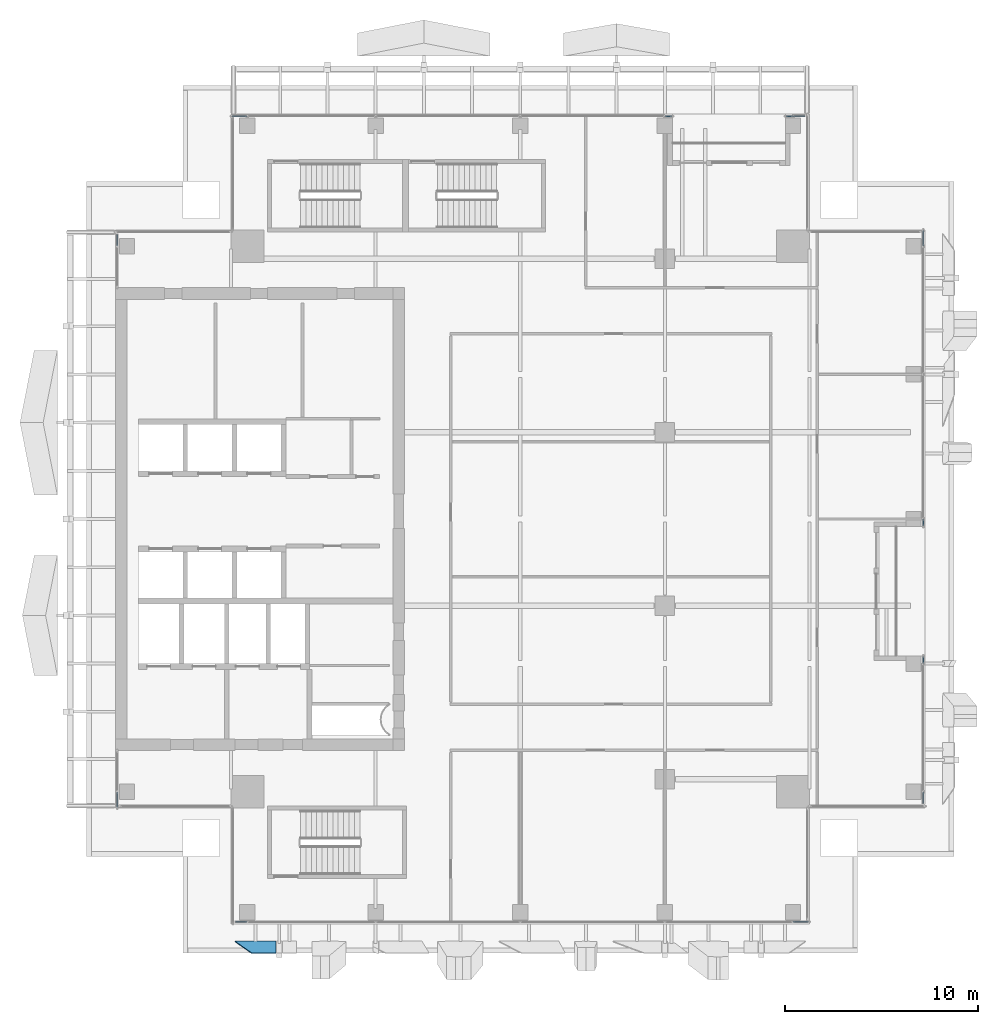
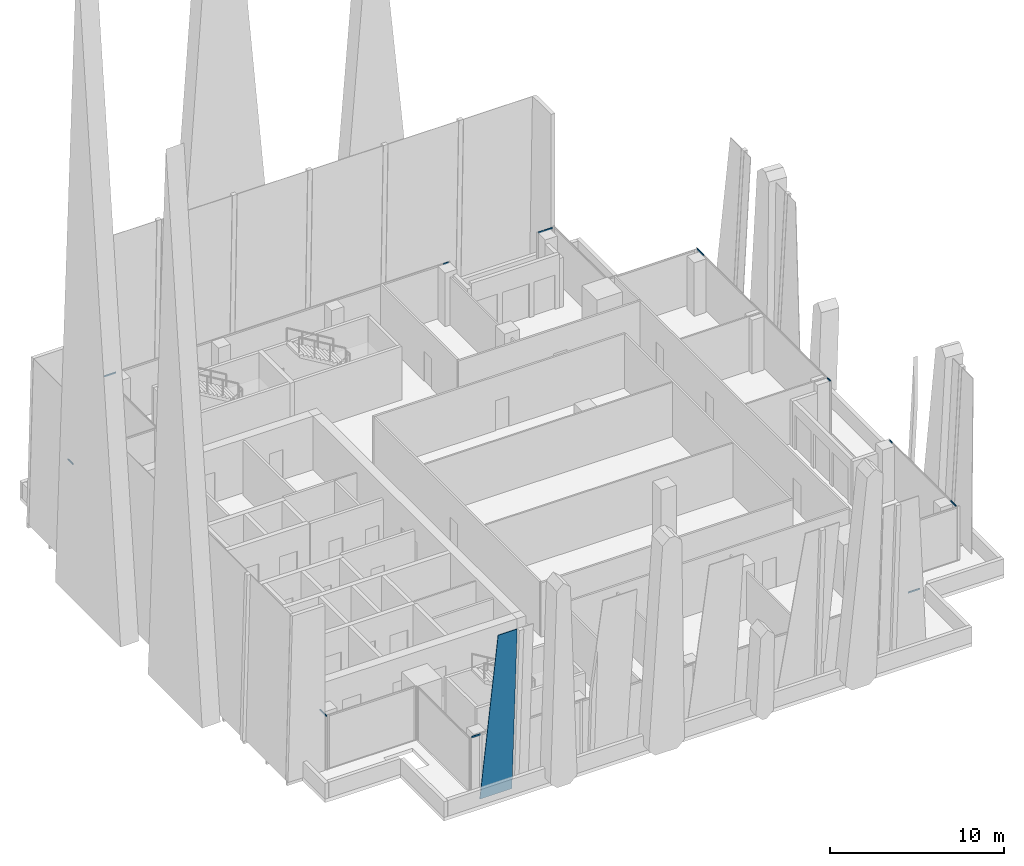
# One storey, part 19 of 32: 12 members, 1 plate, 7 elements without a shape of their own.
"""IFC4 building model written with IfcOpenShell, lengths in metres."""

from ifc_helpers import new_model, si_unit, direction, frame, origin, origin_2d, place, context, subcontext, project, spatial, polyline, hollow_rectangle, outline, extrude, source, transform, mapped, material, layer, layer_set, material_profile, profile_set, type_object, element, aggregate, save


model = new_model("IFC4")

# Units and contexts
model_context = context("Model", 3, precision=1e-05, world=origin(), true_north=direction((0.0, 1.0)))
body_context = subcontext(model_context, "Body", "Model", "MODEL_VIEW")
ifc_project = project(units=[si_unit("LENGTHUNIT", "METRE"), si_unit("AREAUNIT", "SQUARE_METRE"), si_unit("VOLUMEUNIT", "CUBIC_METRE"), si_unit("PLANEANGLEUNIT", "RADIAN"), si_unit("MASSUNIT", "GRAM", prefix="KILO")], contexts=[model_context])

# Site, building, storey
site_placement = place(None, origin())
site = spatial("IfcSite", under=ifc_project, at=site_placement, CompositionType="ELEMENT")
building_placement = place(site_placement, origin())
building = spatial("IfcBuilding", under=site, at=building_placement, Name="Khomas Fold Tower", CompositionType="ELEMENT")
storey_placement = place(building_placement, frame((0.0, 0.0, 282.199951171875)))
storey = spatial("IfcBuildingStorey", under=building, at=storey_placement, Name="L63", CompositionType="ELEMENT", Elevation=282.199951171875)

# Curtain wall, member
ifc_material_1 = material(Name="Aluminium framed double glazing", Category="aluminium")
curtain_wall_type = type_object("IfcCurtainWallType", Name="SK-Unitised clear-glass wall, upper floors CW3", PredefinedType="NOTDEFINED", material=ifc_material_1)
curtain_wall_1_placement = place(storey_placement, origin())
curtain_wall_1 = element("IfcCurtainWall", 1, at=curtain_wall_1_placement, inside=storey, type_object=curtain_wall_type, Name="CW3 run L63 00-0", PredefinedType="NOTDEFINED")
ifc_material_2 = material(Name="Aluminium", Category="aluminium")
ifc_material_profile = material_profile(ifc_material_2, hollow_rectangle(XDim=0.050048828125, YDim=0.10009765625, WallThickness=0.00390625, at=origin_2d()), Name="SK-Unitised clear-glass wall, upper floors transom CW3-T")
ifc_profile_set = profile_set([ifc_material_profile], Name="Aluminium")
member_type = type_object("IfcMemberType", Name="SK-Unitised clear-glass wall, upper floors transom CW3-T", PredefinedType="USERDEFINED", material=ifc_profile_set)
shared_shape_1 = source(origin(), body_context, "Body", "SweptSolid", [
    extrude(hollow_rectangle(XDim=0.050048828125, YDim=0.10009765625, WallThickness=0.00390625, at=origin_2d()), origin(), (0.0, 0.0, 1.0), 0.574951171875),
])
member_1_placement = place(storey_placement, frame((12.25, 6.10009765625, 3.699951171875), z_axis=(1.0, 0.0, 0.0), x_axis=(0.0, 1.0, 0.0)))
member_1 = element("IfcMember", 2, at=member_1_placement, type_object=member_type, Name="CW3 transom 1", ObjectType="TRANSOM", PredefinedType="USERDEFINED", context=body_context, shape_type="MappedRepresentation", body=[
    mapped(shared_shape_1, transform((0.0, 0.0, 0.0))),
])

curtain_wall_2_placement = place(storey_placement, origin())
curtain_wall_2 = element("IfcCurtainWall", 3, at=curtain_wall_2_placement, inside=storey, type_object=curtain_wall_type, Name="CW3 run L63 03-0", PredefinedType="NOTDEFINED")
member_2_placement = place(storey_placement, frame((47.89990234375, 12.25, 3.699951171875), z_axis=(0.0, 1.0, 0.0), x_axis=(-1.0, 0.0, 0.0)))
member_2 = element("IfcMember", 4, at=member_2_placement, type_object=member_type, Name="CW3 transom 1", ObjectType="TRANSOM", PredefinedType="USERDEFINED", context=body_context, shape_type="MappedRepresentation", body=[
    mapped(shared_shape_1, transform((0.0, 0.0, 0.0))),
])

curtain_wall_3_placement = place(storey_placement, origin())
curtain_wall_3 = element("IfcCurtainWall", 5, at=curtain_wall_3_placement, inside=storey, type_object=curtain_wall_type, Name="CW3 run L63 06-0", PredefinedType="NOTDEFINED")
member_3_placement = place(storey_placement, frame((41.75, 47.89990234375, 3.699951171875), z_axis=(-1.0, 0.0, 0.0), x_axis=(0.0, -1.0, 0.0)))
member_3 = element("IfcMember", 6, at=member_3_placement, type_object=member_type, Name="CW3 transom 1", ObjectType="TRANSOM", PredefinedType="USERDEFINED", context=body_context, shape_type="MappedRepresentation", body=[
    mapped(shared_shape_1, transform((0.0, 0.0, 0.0))),
])

curtain_wall_4_placement = place(storey_placement, origin())
curtain_wall_4 = element("IfcCurtainWall", 7, at=curtain_wall_4_placement, inside=storey, type_object=curtain_wall_type, Name="CW3 run L63 09-0", PredefinedType="NOTDEFINED")
member_4_placement = place(storey_placement, frame((6.10009765625, 41.75, 3.699951171875), z_axis=(0.0, -1.0, 0.0), x_axis=(1.0, 0.0, 0.0)))
member_4 = element("IfcMember", 8, at=member_4_placement, type_object=member_type, Name="CW3 transom 1", ObjectType="TRANSOM", PredefinedType="USERDEFINED", context=body_context, shape_type="MappedRepresentation", body=[
    mapped(shared_shape_1, transform((0.0, 0.0, 0.0))),
])
aggregate(curtain_wall_4, [member_4])

# Member
shared_shape_2 = source(origin(), body_context, "Body", "SweptSolid", [
    extrude(hollow_rectangle(XDim=0.050048828125, YDim=0.10009765625, WallThickness=0.00390625, at=origin_2d()), origin(), (0.0, 0.0, 1.0), 0.77490234375),
])
member_5_placement = place(storey_placement, frame((41.175048828125, 6.10009765625, 3.699951171875), z_axis=(1.0, 0.0, 0.0), x_axis=(0.0, 1.0, 0.0)))
member_5 = element("IfcMember", 9, at=member_5_placement, type_object=member_type, Name="CW3 transom 6", ObjectType="TRANSOM", PredefinedType="USERDEFINED", context=body_context, shape_type="MappedRepresentation", body=[
    mapped(shared_shape_2, transform((0.0, 0.0, 0.0))),
])

aggregate(curtain_wall_1, [member_1, member_5])

# Curtain wall, member
curtain_wall_5_placement = place(storey_placement, origin())
curtain_wall_5 = element("IfcCurtainWall", 10, at=curtain_wall_5_placement, inside=storey, type_object=curtain_wall_type, Name="CW3 run L63 03-1", PredefinedType="NOTDEFINED")
member_6_placement = place(storey_placement, frame((47.89990234375, 41.175048828125, 3.699951171875), z_axis=(0.0, 1.0, 0.0), x_axis=(-1.0, 0.0, 0.0)))
member_6 = element("IfcMember", 11, at=member_6_placement, type_object=member_type, Name="CW3 transom 4", ObjectType="TRANSOM", PredefinedType="USERDEFINED", context=body_context, shape_type="MappedRepresentation", body=[
    mapped(shared_shape_2, transform((0.0, 0.0, 0.0))),
])

curtain_wall_6_placement = place(storey_placement, origin())
curtain_wall_6 = element("IfcCurtainWall", 12, at=curtain_wall_6_placement, inside=storey, type_object=curtain_wall_type, Name="CW3 run L63 06-1", PredefinedType="NOTDEFINED")
member_7_placement = place(storey_placement, frame((12.824951171875, 47.89990234375, 3.699951171875), z_axis=(-1.0, 0.0, 0.0), x_axis=(0.0, -1.0, 0.0)))
member_7 = element("IfcMember", 13, at=member_7_placement, type_object=member_type, Name="CW3 transom 5", ObjectType="TRANSOM", PredefinedType="USERDEFINED", context=body_context, shape_type="MappedRepresentation", body=[
    mapped(shared_shape_2, transform((0.0, 0.0, 0.0))),
])

curtain_wall_7_placement = place(storey_placement, origin())
curtain_wall_7 = element("IfcCurtainWall", 14, at=curtain_wall_7_placement, inside=storey, type_object=curtain_wall_type, Name="CW3 run L63 09-1", PredefinedType="NOTDEFINED")
member_8_placement = place(storey_placement, frame((6.10009765625, 12.824951171875, 3.699951171875), z_axis=(0.0, -1.0, 0.0), x_axis=(1.0, 0.0, 0.0)))
member_8 = element("IfcMember", 15, at=member_8_placement, type_object=member_type, Name="CW3 transom 2", ObjectType="TRANSOM", PredefinedType="USERDEFINED", context=body_context, shape_type="MappedRepresentation", body=[
    mapped(shared_shape_2, transform((0.0, 0.0, 0.0))),
])
aggregate(curtain_wall_7, [member_8])

# Member
shared_shape_3 = source(origin(), body_context, "Body", "SweptSolid", [
    extrude(hollow_rectangle(XDim=0.050048828125, YDim=0.10009765625, WallThickness=0.00390625, at=origin_2d()), origin(), (0.0, 0.0, 1.0), 0.3251953125),
])
member_9_placement = place(storey_placement, frame((47.89990234375, 19.52490234375, 3.699951171875), z_axis=(0.0, 1.0, 0.0), x_axis=(-1.0, 0.0, 0.0)))
member_9 = element("IfcMember", 16, at=member_9_placement, type_object=member_type, Name="CW3 transom 3", ObjectType="TRANSOM", PredefinedType="USERDEFINED", context=body_context, shape_type="MappedRepresentation", body=[
    mapped(shared_shape_3, transform((0.0, 0.0, 0.0))),
])

aggregate(curtain_wall_2, [member_2, member_9])

member_10_placement = place(storey_placement, frame((47.89990234375, 26.64990234375, 3.699951171875), z_axis=(0.0, 1.0, 0.0), x_axis=(-1.0, 0.0, 0.0)))
member_10 = element("IfcMember", 17, at=member_10_placement, type_object=member_type, Name="CW3 transom 1", ObjectType="TRANSOM", PredefinedType="USERDEFINED", context=body_context, shape_type="MappedRepresentation", body=[
    mapped(shared_shape_3, transform((0.0, 0.0, 0.0))),
])

aggregate(curtain_wall_5, [member_10, member_6])

member_11_placement = place(storey_placement, frame((34.85009765625, 47.89990234375, 3.699951171875), z_axis=(-1.0, 0.0, 0.0), x_axis=(0.0, -1.0, 0.0)))
member_11 = element("IfcMember", 18, at=member_11_placement, type_object=member_type, Name="CW3 transom 1", ObjectType="TRANSOM", PredefinedType="USERDEFINED", context=body_context, shape_type="MappedRepresentation", body=[
    mapped(shared_shape_3, transform((0.0, 0.0, 0.0))),
])

aggregate(curtain_wall_6, [member_11, member_7])

shared_shape_4 = source(origin(), body_context, "Body", "SweptSolid", [
    extrude(hollow_rectangle(XDim=0.050048828125, YDim=0.10009765625, WallThickness=0.00390625, at=origin_2d()), origin(), (0.0, 0.0, 1.0), 0.324951171875),
])
member_12_placement = place(storey_placement, frame((41.125, 47.89990234375, 3.699951171875), z_axis=(-1.0, 0.0, 0.0), x_axis=(0.0, -1.0, 0.0)))
member_12 = element("IfcMember", 19, at=member_12_placement, type_object=member_type, Name="CW3 transom 2", ObjectType="TRANSOM", PredefinedType="USERDEFINED", context=body_context, shape_type="MappedRepresentation", body=[
    mapped(shared_shape_4, transform((0.0, 0.0, 0.0))),
])

aggregate(curtain_wall_3, [member_3, member_12])

# Plate
ifc_material_3 = material(Name="Clear laminated glass", Category="glass")
ifc_layer = layer(ifc_material_3, 0.0400390625)
ifc_layer_set = layer_set([ifc_layer], Name="Clear laminated glass")
plate_type = type_object("IfcPlateType", Name="SK-Clear laminated glass leaf", PredefinedType="SHEET", material=ifc_layer_set)
plate_placement = place(storey_placement, frame((12.20068359375, 5.10009765625, 0.0), z_axis=(0.0, 0.99862882819, 0.052349436554), x_axis=(0.074684307669, -0.052203236477, 0.995839884866)))
element("IfcPlate", 20, at=plate_placement, inside=storey, type_object=plate_type, Name="OUTER SKIN glass L63 SG098-1", PredefinedType="SHEET", context=body_context, shape_type="SweptSolid", body=[
    extrude(outline(polyline([(0.0, 0.0), (11.598299087691387, 0.0), (11.692639079849204, 1.2596558090997831), (0.15903235632015242, 2.12344761634486), (0.0, 0.0)])), origin(), (0.0, 0.0, -1.0), 0.0400390625),
])

save(model, "model.ifc")
